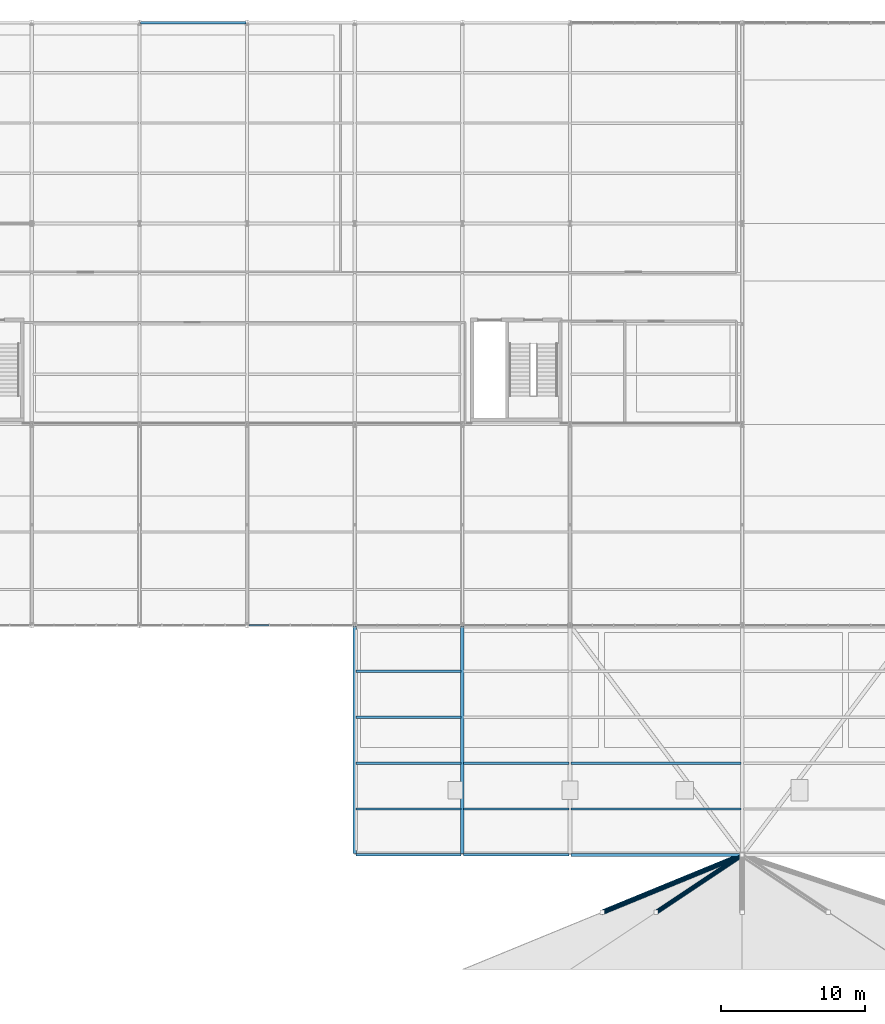
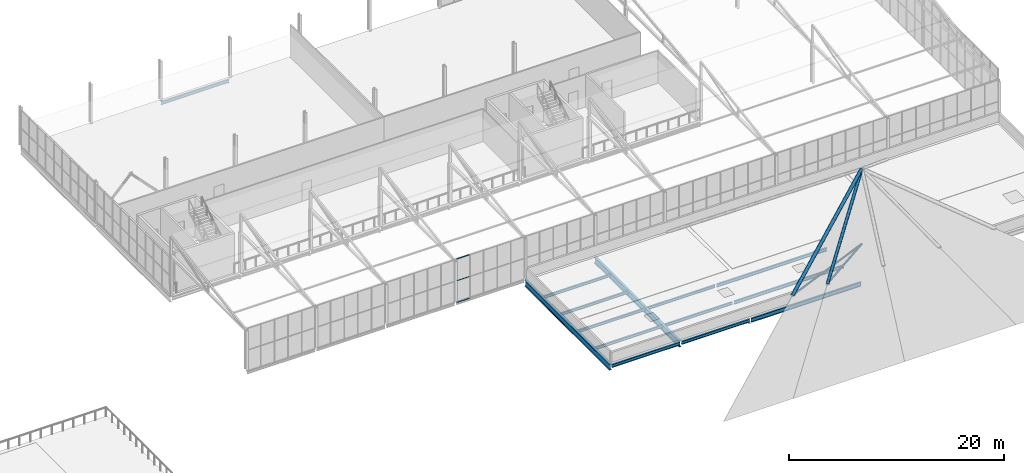
# One storey, part 44 of 104: 14 beams, 7 members, 1 element without a shape of its own.
"""IFC4 building model written with IfcOpenShell, lengths in metres."""

from ifc_helpers import new_model, si_unit, direction, frame, origin, origin_2d, place, context, subcontext, project, spatial, hollow_rectangle, hollow_circle, i_section, extrude, material, layer, layer_set, material_profile, profile_set, type_object, element, aggregate, save


model = new_model("IFC4")

# Units and contexts
model_context = context("Model", 3, precision=1e-05, world=origin(), true_north=direction((0.0, 1.0)))
body_context = subcontext(model_context, "Body", "Model", "MODEL_VIEW")
ifc_project = project(units=[si_unit("LENGTHUNIT", "METRE"), si_unit("AREAUNIT", "SQUARE_METRE"), si_unit("VOLUMEUNIT", "CUBIC_METRE"), si_unit("PLANEANGLEUNIT", "RADIAN"), si_unit("MASSUNIT", "GRAM", prefix="KILO")], contexts=[model_context])

# Site, building, storey
site_placement = place(None, origin())
site = spatial("IfcSite", under=ifc_project, at=site_placement, CompositionType="ELEMENT")
building_placement = place(site_placement, origin())
building = spatial("IfcBuilding", under=site, at=building_placement, Name="Solvenia Promenade Tram Depot", CompositionType="ELEMENT")
storey_placement = place(building_placement, frame((0.0, 0.0, 9.0)))
storey = spatial("IfcBuildingStorey", under=building, at=storey_placement, Name="L02", CompositionType="ELEMENT", Elevation=9.0)

# Members
ifc_material_1 = material(Name="Structural steel ASTM A500 Gr. C", Category="steel")
ifc_material_profile_1 = material_profile(ifc_material_1, hollow_circle(Radius=0.109619140625, WallThickness=0.008056640625, at=origin_2d()), Name="CHS219.1x8", Category="steel")
ifc_profile_set_1 = profile_set([ifc_material_profile_1], Name="Structural steel ASTM A500 Gr. C")
member_type_1 = type_object("IfcMemberType", Name="Brace-CHS219x8", PredefinedType="BRACE", material=ifc_profile_set_1)
member_1_placement = place(storey_placement, frame((152.25, 4.0, 4.050048828125), z_axis=(0.925168618375, 0.379556356256, 0.0), x_axis=(-0.379556356256, 0.925168618375, 0.0)))
element("IfcMember", 1, at=member_1_placement, inside=storey, type_object=member_type_1, Name="Entrance Sail Mid Tie Strut 01", PredefinedType="BRACE", context=body_context, shape_type="SweptSolid", body=[
    extrude(hollow_circle(Radius=0.109619140625, WallThickness=0.008056640625, at=origin_2d()), origin(), (0.0, 0.0, 1.0), 10.53857421875),
])
member_2_placement = place(storey_placement, frame((156.0, 4.0, 4.050048828125), z_axis=(0.832050294338, 0.554700196225, 0.0), x_axis=(-0.554700196225, 0.832050294338, 0.0)))
element("IfcMember", 2, at=member_2_placement, inside=storey, type_object=member_type_1, Name="Entrance Sail Mid Tie Strut 02", PredefinedType="BRACE", context=body_context, shape_type="SweptSolid", body=[
    extrude(hollow_circle(Radius=0.109619140625, WallThickness=0.008056640625, at=origin_2d()), origin(), (0.0, 0.0, 1.0), 7.211181640625),
])

# Curtain wall, members
ifc_material_2 = material(Name="Anodized aluminium AW-6063 T6", Category="aluminium")
ifc_layer = layer(ifc_material_2, 0.080078125, Name="Anodized aluminium AW-6063 T6", Category="aluminium")
ifc_layer_set = layer_set([ifc_layer], Name="Anodized aluminium AW-6063 T6")
curtain_wall_type = type_object("IfcCurtainWallType", Name="CW-Clerest-1500", PredefinedType="NOTDEFINED", material=ifc_layer_set)
curtain_wall_placement = place(storey_placement, origin())
curtain_wall = element("IfcCurtainWall", 3, at=curtain_wall_placement, inside=storey, type_object=curtain_wall_type, Name="Curtain Wall CW-V2S-L2-04", PredefinedType="NOTDEFINED")
ifc_material_profile_2 = material_profile(ifc_material_2, hollow_rectangle(XDim=0.110107421875, YDim=0.054931640625, WallThickness=0.00390625, at=origin_2d()), Name="ALU-T4", Category="aluminium")
ifc_profile_set_2 = profile_set([ifc_material_profile_2], Name="Anodized aluminium AW-6063 T6")
member_type_2 = type_object("IfcMemberType", Name="CWT-Transom-4", PredefinedType="USERDEFINED", material=ifc_profile_set_2)
member_3_placement = place(storey_placement, frame((127.635009765625, 24.0, -0.2724609375), z_axis=(1.0, 0.0, 0.0), x_axis=(0.0, 1.0, 0.0)))
member_3 = element("IfcMember", 4, at=member_3_placement, type_object=member_type_2, Name="CW-4 transom 1.1", ObjectType="TRANSOM", PredefinedType="USERDEFINED", context=body_context, shape_type="SweptSolid", body=[
    extrude(hollow_rectangle(XDim=0.110107421875, YDim=0.054931640625, WallThickness=0.00390625, at=origin_2d()), origin(), (0.0, 0.0, 1.0), 1.385498046875),
])
member_4_placement = place(storey_placement, frame((127.635009765625, 24.0, 2.199951171875), z_axis=(1.0, 0.0, 0.0), x_axis=(0.0, 1.0, 0.0)))
member_4 = element("IfcMember", 5, at=member_4_placement, type_object=member_type_2, Name="CW-4 transom 1.2", ObjectType="TRANSOM", PredefinedType="USERDEFINED", context=body_context, shape_type="SweptSolid", body=[
    extrude(hollow_rectangle(XDim=0.110107421875, YDim=0.054931640625, WallThickness=0.00390625, at=origin_2d()), origin(), (0.0, 0.0, 1.0), 1.385498046875),
])
member_5_placement = place(storey_placement, frame((127.635009765625, 24.0, 4.672607421875), z_axis=(1.0, 0.0, 0.0), x_axis=(0.0, 1.0, 0.0)))
member_5 = element("IfcMember", 6, at=member_5_placement, type_object=member_type_2, Name="CW-4 transom 1.3", ObjectType="TRANSOM", PredefinedType="USERDEFINED", context=body_context, shape_type="SweptSolid", body=[
    extrude(hollow_rectangle(XDim=0.110107421875, YDim=0.054931640625, WallThickness=0.00390625, at=origin_2d()), origin(), (0.0, 0.0, 1.0), 1.385498046875),
])
aggregate(curtain_wall, [member_3, member_4, member_5])

# Beams
ifc_material_3 = material(Name="Structural steel ASTM A992 Gr. 50", Category="steel")
ifc_material_profile_3 = material_profile(ifc_material_3, i_section(OverallWidth=0.25390625, OverallDepth=0.68408203125, WebThickness=0.012451171875, FlangeThickness=0.018798828125, FilletRadius=0.01611328125, at=origin_2d()), Name="W690x140", Category="steel")
ifc_profile_set_3 = profile_set([ifc_material_profile_3], Name="Structural steel ASTM A992 Gr. 50")
beam_type_1 = type_object("IfcBeamType", Name="Gird-W690x140", PredefinedType="BEAM", material=ifc_profile_set_3)
for number, where, z_axis, x_axis, name in (
    (7, (135.0, 8.0849609375, -0.56201171875), (0.0, 1.0, 0.0), (-1.0, 0.0, 0.0), "Transverse Girder BM-L02-0797"),
    (8, (142.5, 8.0849609375, -0.56201171875), (0.0, 1.0, 0.0), (-1.0, 0.0, 0.0), "Transverse Girder BM-L02-0798"),
):
    element("IfcBeam", number, at=place(storey_placement, frame(where, z_axis=z_axis, x_axis=x_axis)), inside=storey, type_object=beam_type_1, Name=name, PredefinedType="BEAM", context=body_context, shape_type="SweptSolid", body=[
        extrude(i_section(OverallWidth=0.25390625, OverallDepth=0.68408203125, WebThickness=0.012451171875, FlangeThickness=0.018798828125, FilletRadius=0.01611328125, at=origin_2d()), origin(), (0.0, 0.0, 1.0), 15.830078125),
    ])
ifc_material_profile_4 = material_profile(ifc_material_3, i_section(OverallWidth=0.166015625, OverallDepth=0.31298828125, WebThickness=0.006591796875, FlangeThickness=0.01123046875, FilletRadius=0.010009765625, at=origin_2d()), Name="W310x45", Category="steel")
ifc_profile_set_4 = profile_set([ifc_material_profile_4], Name="Structural steel ASTM A992 Gr. 50")
beam_type_2 = type_object("IfcBeamType", Name="Joist-W310x45", PredefinedType="JOIST", material=ifc_profile_set_4)
for number, where, z_axis, x_axis, name in (
    (9, (135.0849609375, 11.199951171875, -0.37646484375), (1.0, 0.0, 0.0), (0.0, 1.0, 0.0), "Secondary Floor Joist BM-L02-0803"),
    (10, (135.0849609375, 14.39990234375, -0.37646484375), (1.0, 0.0, 0.0), (0.0, 1.0, 0.0), "Secondary Floor Joist BM-L02-0804"),
    (11, (135.0849609375, 17.60009765625, -0.37646484375), (1.0, 0.0, 0.0), (0.0, 1.0, 0.0), "Secondary Floor Joist BM-L02-0805"),
    (12, (135.0849609375, 20.800048828125, -0.37646484375), (1.0, 0.0, 0.0), (0.0, 1.0, 0.0), "Secondary Floor Joist BM-L02-0806"),
    (13, (142.5849609375, 11.199951171875, -0.37646484375), (1.0, 0.0, 0.0), (0.0, 1.0, 0.0), "Secondary Floor Joist BM-L02-0807"),
    (14, (142.5849609375, 14.39990234375, -0.37646484375), (1.0, 0.0, 0.0), (0.0, 1.0, 0.0), "Secondary Floor Joist BM-L02-0808"),
):
    element("IfcBeam", number, at=place(storey_placement, frame(where, z_axis=z_axis, x_axis=x_axis)), inside=storey, type_object=beam_type_2, Name=name, PredefinedType="JOIST", context=body_context, shape_type="SweptSolid", body=[
        extrude(i_section(OverallWidth=0.166015625, OverallDepth=0.31298828125, WebThickness=0.006591796875, FlangeThickness=0.01123046875, FilletRadius=0.010009765625, at=origin_2d()), origin(), (0.0, 0.0, 1.0), 7.330078125),
    ])
ifc_material_profile_5 = material_profile(ifc_material_3, i_section(OverallWidth=0.172119140625, OverallDepth=0.35791015625, WebThickness=0.0078125, FlangeThickness=0.01318359375, FilletRadius=0.010986328125, at=origin_2d()), Name="W360x57", Category="steel")
ifc_profile_set_5 = profile_set([ifc_material_profile_5], Name="Structural steel ASTM A992 Gr. 50")
beam_type_3 = type_object("IfcBeamType", Name="Joist-W360x57", PredefinedType="JOIST", material=ifc_profile_set_5)
for number, where, z_axis, x_axis, name in (
    (15, (150.0849609375, 11.199951171875, -0.39892578125), (1.0, 0.0, 0.0), (0.0, 1.0, 0.0), "Secondary Floor Joist BM-L02-0811"),
    (16, (150.0849609375, 14.39990234375, -0.39892578125), (1.0, 0.0, 0.0), (0.0, 1.0, 0.0), "Secondary Floor Joist BM-L02-0812"),
):
    element("IfcBeam", number, at=place(storey_placement, frame(where, z_axis=z_axis, x_axis=x_axis)), inside=storey, type_object=beam_type_3, Name=name, PredefinedType="JOIST", context=body_context, shape_type="SweptSolid", body=[
        extrude(i_section(OverallWidth=0.172119140625, OverallDepth=0.35791015625, WebThickness=0.0078125, FlangeThickness=0.01318359375, FilletRadius=0.010986328125, at=origin_2d()), origin(), (0.0, 0.0, 1.0), 11.830078125),
    ])

# Members
ifc_material_profile_6 = material_profile(ifc_material_1, hollow_circle(Radius=0.161865234375, WallThickness=0.010009765625, at=origin_2d()), Name="CHS323.9x10", Category="steel")
ifc_profile_set_6 = profile_set([ifc_material_profile_6], Name="Structural steel ASTM A500 Gr. C")
member_type_3 = type_object("IfcMemberType", Name="SailRib-CHS324x10", PredefinedType="RAFTER", material=ifc_profile_set_6)
member_6_placement = place(storey_placement, frame((156.0, 4.0, 4.050048828125), z_axis=(0.536434630594, 0.357623087063, 0.764423714113), x_axis=(-0.554700196225, 0.832050294338, 0.0)))
element("IfcMember", 17, at=member_6_placement, inside=storey, type_object=member_type_3, Name="Entrance Sail Upper Rib 02", PredefinedType="RAFTER", context=body_context, shape_type="SweptSolid", body=[
    extrude(hollow_circle(Radius=0.161865234375, WallThickness=0.010009765625, at=origin_2d()), origin(), (0.0, 0.0, 1.0), 11.18505859375),
])
ifc_material_profile_7 = material_profile(ifc_material_1, hollow_circle(Radius=0.177734375, WallThickness=0.012451171875, at=origin_2d()), Name="CHS355.6x12.5", Category="steel")
ifc_profile_set_7 = profile_set([ifc_material_profile_7], Name="Structural steel ASTM A500 Gr. C")
member_type_4 = type_object("IfcMemberType", Name="SailRib-CHS355x12", PredefinedType="RAFTER", material=ifc_profile_set_7)
member_7_placement = place(storey_placement, frame((152.25, 4.0, 4.050048828125), z_axis=(0.718455845317, 0.294751116028, 0.630034108545), x_axis=(-0.379556356256, 0.925168618375, 0.0)))
element("IfcMember", 18, at=member_7_placement, inside=storey, type_object=member_type_4, Name="Entrance Sail Upper Rib 01", PredefinedType="RAFTER", context=body_context, shape_type="SweptSolid", body=[
    extrude(hollow_circle(Radius=0.177734375, WallThickness=0.012451171875, at=origin_2d()), origin(), (0.0, 0.0, 1.0), 13.57080078125),
])

# Beams
ifc_material_profile_8 = material_profile(ifc_material_3, i_section(OverallWidth=0.172119140625, OverallDepth=0.35791015625, WebThickness=0.0078125, FlangeThickness=0.01318359375, FilletRadius=0.010986328125, at=origin_2d()), Name="W360x57", Category="steel")
ifc_profile_set_8 = profile_set([ifc_material_profile_8], Name="Structural steel ASTM A992 Gr. 50")
beam_type_4 = type_object("IfcBeamType", Name="Spandrel-W360x57", PredefinedType="SPANDREL", material=ifc_profile_set_8)
for number, where, z_axis, x_axis, name in (
    (19, (120.0849609375, 66.0, -0.4189453125), (1.0, 0.0, 0.0), (0.0, 1.0, 0.0), "Perimeter Spandrel BM-L02-0464"),
    (20, (135.0849609375, 8.0, -0.39892578125), (1.0, 0.0, 0.0), (0.0, 1.0, 0.0), "Perimeter Spandrel BM-L02-0787"),
    (21, (142.5849609375, 8.0, -0.39892578125), (1.0, 0.0, 0.0), (0.0, 1.0, 0.0), "Perimeter Spandrel BM-L02-0788"),
):
    element("IfcBeam", number, at=place(storey_placement, frame(where, z_axis=z_axis, x_axis=x_axis)), inside=storey, type_object=beam_type_4, Name=name, PredefinedType="SPANDREL", context=body_context, shape_type="SweptSolid", body=[
        extrude(i_section(OverallWidth=0.172119140625, OverallDepth=0.35791015625, WebThickness=0.0078125, FlangeThickness=0.01318359375, FilletRadius=0.010986328125, at=origin_2d()), origin(), (0.0, 0.0, 1.0), 7.330078125),
    ])
ifc_material_profile_9 = material_profile(ifc_material_3, i_section(OverallWidth=0.19091796875, OverallDepth=0.4599609375, WebThickness=0.010009765625, FlangeThickness=0.01611328125, FilletRadius=0.012939453125, at=origin_2d()), Name="W460x82", Category="steel")
ifc_profile_set_9 = profile_set([ifc_material_profile_9], Name="Structural steel ASTM A992 Gr. 50")
beam_type_5 = type_object("IfcBeamType", Name="Spandrel-W460x82", PredefinedType="SPANDREL", material=ifc_profile_set_9)
beam_placement = place(storey_placement, frame((150.0849609375, 8.0, -0.449951171875), z_axis=(1.0, 0.0, 0.0), x_axis=(0.0, 1.0, 0.0)))
element("IfcBeam", 22, at=beam_placement, inside=storey, type_object=beam_type_5, Name="Perimeter Spandrel BM-L02-0789", PredefinedType="SPANDREL", context=body_context, shape_type="SweptSolid", body=[
    extrude(i_section(OverallWidth=0.19091796875, OverallDepth=0.4599609375, WebThickness=0.010009765625, FlangeThickness=0.01611328125, FilletRadius=0.012939453125, at=origin_2d()), origin(), (0.0, 0.0, 1.0), 11.830078125),
])

save(model, "model.ifc")
